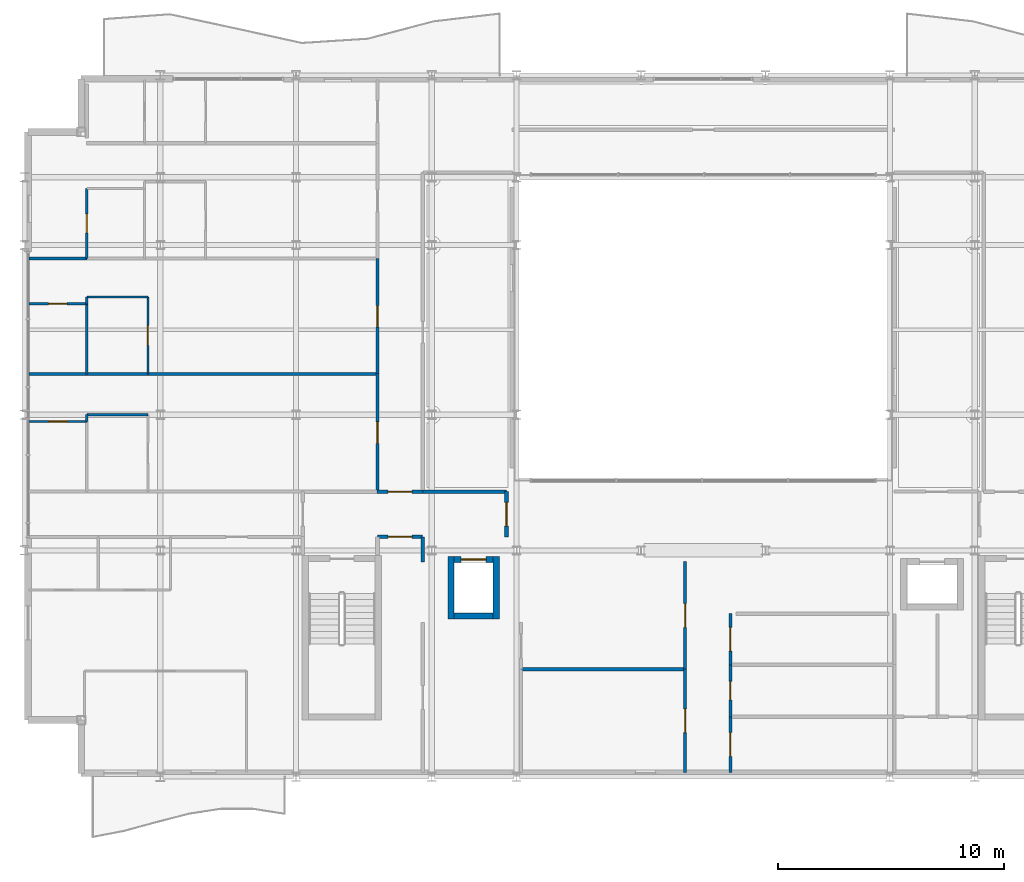
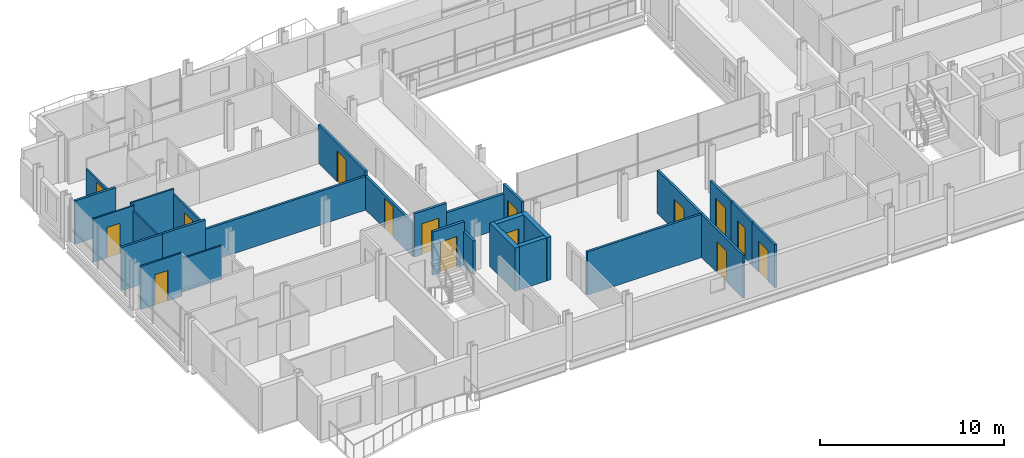
# One storey, part 34 of 41: 30 walls, 15 doors, 15 openings.
"""IFC4 building model written with IfcOpenShell, lengths in metres."""

from ifc_helpers import new_model, si_unit, direction, frame, frame_2d, origin, place, context, subcontext, project, spatial, rectangle, extrude, material, layer, layer_set, type_object, element, fill, save


model = new_model("IFC4")

# Units and contexts
model_context = context("Model", 3, precision=1e-05, world=origin(), true_north=direction((0.0, 1.0)))
body_context = subcontext(model_context, "Body", "Model", "MODEL_VIEW")
ifc_project = project(units=[si_unit("LENGTHUNIT", "METRE"), si_unit("AREAUNIT", "SQUARE_METRE"), si_unit("VOLUMEUNIT", "CUBIC_METRE"), si_unit("PLANEANGLEUNIT", "RADIAN"), si_unit("MASSUNIT", "GRAM", prefix="KILO")], contexts=[model_context])

# Site, building, storey
site_placement = place(None, origin())
site = spatial("IfcSite", under=ifc_project, at=site_placement, CompositionType="ELEMENT")
building_placement = place(site_placement, origin())
building = spatial("IfcBuilding", under=site, at=building_placement, Name="Brevholm Reach", CompositionType="ELEMENT")
storey_placement = place(building_placement, frame((0.0, 0.0, 151.10009765625)))
storey = spatial("IfcBuildingStorey", under=building, at=storey_placement, Name="L45", CompositionType="ELEMENT", Elevation=151.10009765625)

# Walls
ifc_material_1 = material(Name="Concrete C50/60", Category="concrete")
ifc_layer_1 = layer(ifc_material_1, 0.280029296875)
ifc_layer_set_1 = layer_set([ifc_layer_1], Name="Concrete C50/60")
wall_type_1 = type_object("IfcWallType", Name="WAL-COR-280", PredefinedType="SHEAR", material=ifc_layer_set_1)
for number, where, z_axis, x_axis, name in (
    (1, (18.85009765625, 6.9599609375, 0.0), (0.0, 0.0, 1.0), (0.0, 1.0, 0.0), "L45 Lift FFL-1 Shaft Wall W"),
    (2, (20.85009765625, 6.9599609375, 0.0), (0.0, 0.0, 1.0), (0.0, 1.0, 0.0), "L45 Lift FFL-1 Shaft Wall E"),
):
    element("IfcWall", number, at=place(storey_placement, frame(where, z_axis=z_axis, x_axis=x_axis)), inside=storey, type_object=wall_type_1, Name=name, PredefinedType="SHEAR", context=body_context, shape_type="SweptSolid", body=[
        extrude(rectangle(XDim=2.780029296875, YDim=0.280029296875, at=frame_2d((1.39013671875, 0.0))), origin(), (0.0, 0.0, 1.0), 2.8798828125),
    ])
wall_1_placement = place(storey_placement, frame((18.989990234375, 7.10009765625, 0.0), z_axis=(0.0, 0.0, 1.0), x_axis=(1.0, 0.0, 0.0)))
element("IfcWall", 3, at=wall_1_placement, inside=storey, type_object=wall_type_1, Name="L45 Lift FFL-1 Shaft Wall S", PredefinedType="SHEAR", context=body_context, shape_type="SweptSolid", body=[
    extrude(rectangle(XDim=1.719970703125, YDim=0.280029296875, at=frame_2d((0.85986328125, 0.0))), origin(), (0.0, 0.0, 1.0), 2.8798828125),
])

# Wall, opening, door
wall_2_placement = place(storey_placement, frame((18.989990234375, 9.60009765625, 0.0), z_axis=(0.0, 0.0, 1.0), x_axis=(1.0, 0.0, 0.0)))
wall_2 = element("IfcWall", 4, at=wall_2_placement, inside=storey, type_object=wall_type_1, Name="L45 Lift FFL-1 Shaft Wall N", PredefinedType="SHEAR", context=body_context, shape_type="SweptSolid", body=[
    extrude(rectangle(XDim=1.719970703125, YDim=0.280029296875, at=frame_2d((0.85986328125, 0.0))), origin(), (0.0, 0.0, 1.0), 2.8798828125),
])
opening_1_placement = place(wall_2_placement, frame((0.31005859375, 0.0, 0.0)))
opening_1 = element("IfcOpeningElement", 5, at=opening_1_placement, cuts=wall_2, Name="Opening LD-FFL-1", PredefinedType="OPENING", context=body_context, shape_type="SweptSolid", body=[
    extrude(rectangle(XDim=1.10009765625, YDim=2.06005859375, at=frame_2d((0.550048828125, 1.030029296875))), frame((0.0, 0.14990234375, 0.0), z_axis=(0.0, -1.0, 0.0), x_axis=(1.0, 0.0, 0.0)), (0.0, 0.0, 1.0), 0.300048828125),
])
ifc_material_2 = material(Name="Brushed Stainless Steel Fire-Rated Sliding Lift Door", Category="steel")
door_type_1 = type_object("IfcDoorType", Name="DOR-LFT-1100", OperationType="NOTDEFINED", PredefinedType="DOOR", material=ifc_material_2)
door_1_placement = place(opening_1_placement, origin())
door_1 = element("IfcDoor", 6, at=door_1_placement, inside=storey, type_object=door_type_1, Name="L45 Lift FFL-1 Sliding Landing Door", OperationType="SLIDING_TO_LEFT", OverallHeight=2.06005859375, OverallWidth=1.10009765625, PredefinedType="DOOR", context=body_context, shape_type="SweptSolid", body=[
    extrude(rectangle(XDim=1.10009765625, YDim=2.06005859375, at=frame_2d((0.550048828125, 1.030029296875))), frame((0.0, 0.02490234375, 0.0), z_axis=(0.0, -1.0, 0.0), x_axis=(1.0, 0.0, 0.0)), (0.0, 0.0, 1.0), 0.050048828125),
])
fill(opening_1, door_1)

ifc_material_3 = material(Name="Moisture-Resistant Acoustic Gypsum Stud Partition 100 mm", Category="gypsum")
ifc_layer_2 = layer(ifc_material_3, 0.10009765625)
ifc_layer_set_2 = layer_set([ifc_layer_2], Name="Moisture-Resistant Acoustic Gypsum Stud Partition 100 mm")
wall_type_2 = type_object("IfcWallType", Name="WAL-PRT-100", PredefinedType="PARTITIONING", material=ifc_layer_set_2)
wall_3_placement = place(storey_placement, frame((0.199951171875, 15.699951171875, 0.0), z_axis=(0.0, 0.0, 1.0), x_axis=(1.0, 0.0, 0.0)))
wall_3 = element("IfcWall", 7, at=wall_3_placement, inside=storey, type_object=wall_type_2, Name="L45 Internal Partition 070", PredefinedType="PARTITIONING", context=body_context, shape_type="SweptSolid", body=[
    extrude(rectangle(XDim=2.550048828125, YDim=0.10009765625, at=frame_2d((1.27490234375, 0.0))), origin(), (0.0, 0.0, 1.0), 2.8798828125),
])
opening_2_placement = place(wall_3_placement, frame((0.864990234375, 0.0, 0.0)))
opening_2 = element("IfcOpeningElement", 8, at=opening_2_placement, cuts=wall_3, Name="Opening ID-03", PredefinedType="OPENING", context=body_context, shape_type="SweptSolid", body=[
    extrude(rectangle(XDim=0.820068359375, YDim=2.02001953125, at=frame_2d((0.41015625, 1.010009765625))), frame((0.0, 0.06005859375, 0.0), z_axis=(0.0, -1.0, 0.0), x_axis=(1.0, 0.0, 0.0)), (0.0, 0.0, 1.0), 0.1201171875),
])
ifc_material_4 = material(Name="Moisture-Resistant Painted Timber Internal Bathroom Door", Category="wood")
door_type_2 = type_object("IfcDoorType", Name="DOR-BATH-820", OperationType="NOTDEFINED", PredefinedType="DOOR", material=ifc_material_4)
door_2_placement = place(opening_2_placement, origin())
door_2 = element("IfcDoor", 9, at=door_2_placement, inside=storey, type_object=door_type_2, Name="L45 Internal Door 034", OperationType="SINGLE_SWING_RIGHT", OverallHeight=2.02001953125, OverallWidth=0.820068359375, PredefinedType="DOOR", context=body_context, shape_type="SweptSolid", body=[
    extrude(rectangle(XDim=0.820068359375, YDim=2.02001953125, at=frame_2d((0.41015625, 1.010009765625))), frame((0.0, 0.02490234375, 0.0), z_axis=(0.0, -1.0, 0.0), x_axis=(1.0, 0.0, 0.0)), (0.0, 0.0, 1.0), 0.050048828125),
])
fill(opening_2, door_2)

# Walls
wall_4_placement = place(storey_placement, frame((2.75, 16.0, 0.0), z_axis=(0.0, 0.0, 1.0), x_axis=(1.0, 0.0, 0.0)))
element("IfcWall", 10, at=wall_4_placement, inside=storey, type_object=wall_type_2, Name="L45 Internal Partition 072", PredefinedType="PARTITIONING", context=body_context, shape_type="SweptSolid", body=[
    extrude(rectangle(XDim=2.699951171875, YDim=0.10009765625, at=frame_2d((1.35009765625, 0.0))), origin(), (0.0, 0.0, 1.0), 2.24267578125),
])
wall_5_placement = place(storey_placement, frame((2.75, 15.7041015625, 0.0), z_axis=(0.0, 0.0, 1.0), x_axis=(0.0, 1.0, 0.0)))
element("IfcWall", 11, at=wall_5_placement, inside=storey, type_object=wall_type_2, Name="L45 Internal Partition 073", PredefinedType="PARTITIONING", context=body_context, shape_type="SweptSolid", body=[
    extrude(rectangle(XDim=0.2958984375, YDim=0.10009765625, at=frame_2d((0.14794921875, 0.0))), origin(), (0.0, 0.0, 1.0), 2.24267578125),
])
wall_6_placement = place(storey_placement, frame((2.75, 17.803955078125, 0.0), z_axis=(0.0, 0.0, 1.0), x_axis=(0.0, 1.0, 0.0)))
element("IfcWall", 12, at=wall_6_placement, inside=storey, type_object=wall_type_2, Name="L45 Internal Partition 077", PredefinedType="PARTITIONING", context=body_context, shape_type="SweptSolid", body=[
    extrude(rectangle(XDim=3.095947265625, YDim=0.10009765625, at=frame_2d((1.5478515625, 0.0))), origin(), (0.0, 0.0, 1.0), 2.551513671875),
])

# Wall, opening, door
wall_7_placement = place(storey_placement, frame((0.199951171875, 20.89990234375, 0.0), z_axis=(0.0, 0.0, 1.0), x_axis=(1.0, 0.0, 0.0)))
wall_7 = element("IfcWall", 13, at=wall_7_placement, inside=storey, type_object=wall_type_2, Name="L45 Internal Partition 078", PredefinedType="PARTITIONING", context=body_context, shape_type="SweptSolid", body=[
    extrude(rectangle(XDim=2.550048828125, YDim=0.10009765625, at=frame_2d((1.27490234375, 0.0))), origin(), (0.0, 0.0, 1.0), 2.8798828125),
])
opening_3_placement = place(wall_7_placement, frame((0.864990234375, 0.0, 0.0)))
opening_3 = element("IfcOpeningElement", 14, at=opening_3_placement, cuts=wall_7, Name="Opening ID-03", PredefinedType="OPENING", context=body_context, shape_type="SweptSolid", body=[
    extrude(rectangle(XDim=0.820068359375, YDim=2.02001953125, at=frame_2d((0.41015625, 1.010009765625))), frame((0.0, 0.06005859375, 0.0), z_axis=(0.0, -1.0, 0.0), x_axis=(1.0, 0.0, 0.0)), (0.0, 0.0, 1.0), 0.1201171875),
])
door_3_placement = place(opening_3_placement, origin())
door_3 = element("IfcDoor", 15, at=door_3_placement, inside=storey, type_object=door_type_2, Name="L45 Internal Door 036", OperationType="SINGLE_SWING_RIGHT", OverallHeight=2.02001953125, OverallWidth=0.820068359375, PredefinedType="DOOR", context=body_context, shape_type="SweptSolid", body=[
    extrude(rectangle(XDim=0.820068359375, YDim=2.02001953125, at=frame_2d((0.41015625, 1.010009765625))), frame((0.0, 0.02490234375, 0.0), z_axis=(0.0, -1.0, 0.0), x_axis=(1.0, 0.0, 0.0)), (0.0, 0.0, 1.0), 0.050048828125),
])
fill(opening_3, door_3)

wall_8_placement = place(storey_placement, frame((5.449951171875, 17.803955078125, 0.0), z_axis=(0.0, 0.0, 1.0), x_axis=(0.0, 1.0, 0.0)))
wall_8 = element("IfcWall", 16, at=wall_8_placement, inside=storey, type_object=wall_type_2, Name="L45 Internal Partition 079", PredefinedType="PARTITIONING", context=body_context, shape_type="SweptSolid", body=[
    extrude(rectangle(XDim=3.39599609375, YDim=0.10009765625, at=frame_2d((1.697998046875, 0.0))), origin(), (0.0, 0.0, 1.0), 2.551513671875),
])
opening_4_placement = place(wall_8_placement, frame((1.258056640625, 0.0, 0.0)))
opening_4 = element("IfcOpeningElement", 17, at=opening_4_placement, cuts=wall_8, Name="Opening ID-01", PredefinedType="OPENING", context=body_context, shape_type="SweptSolid", body=[
    extrude(rectangle(XDim=0.8798828125, YDim=2.0400390625, at=frame_2d((0.43994140625, 1.02001953125))), frame((0.0, 0.06005859375, 0.0), z_axis=(0.0, -1.0, 0.0), x_axis=(1.0, 0.0, 0.0)), (0.0, 0.0, 1.0), 0.1201171875),
])
ifc_material_5 = material(Name="Lacquered Ash Solid-Core Acoustic Internal Door", Category="timber")
door_type_3 = type_object("IfcDoorType", Name="DOR-INT-880", OperationType="NOTDEFINED", PredefinedType="DOOR", material=ifc_material_5)
door_4_placement = place(opening_4_placement, origin())
door_4 = element("IfcDoor", 18, at=door_4_placement, inside=storey, type_object=door_type_3, Name="L45 Internal Door 037", OperationType="SINGLE_SWING_LEFT", OverallHeight=2.0400390625, OverallWidth=0.8798828125, PredefinedType="DOOR", context=body_context, shape_type="SweptSolid", body=[
    extrude(rectangle(XDim=0.8798828125, YDim=2.0400390625, at=frame_2d((0.43994140625, 1.02001953125))), frame((0.0, 0.02490234375, 0.0), z_axis=(0.0, -1.0, 0.0), x_axis=(1.0, 0.0, 0.0)), (0.0, 0.0, 1.0), 0.050048828125),
])
fill(opening_4, door_4)

# Walls
wall_9_placement = place(storey_placement, frame((2.75, 21.199951171875, 0.0), z_axis=(0.0, 0.0, 1.0), x_axis=(1.0, 0.0, 0.0)))
element("IfcWall", 19, at=wall_9_placement, inside=storey, type_object=wall_type_2, Name="L45 Internal Partition 080", PredefinedType="PARTITIONING", context=body_context, shape_type="SweptSolid", body=[
    extrude(rectangle(XDim=2.699951171875, YDim=0.10009765625, at=frame_2d((1.35009765625, 0.0))), origin(), (0.0, 0.0, 1.0), 2.8798828125),
])
wall_10_placement = place(storey_placement, frame((2.75, 20.904052734375, 0.0), z_axis=(0.0, 0.0, 1.0), x_axis=(0.0, 1.0, 0.0)))
element("IfcWall", 20, at=wall_10_placement, inside=storey, type_object=wall_type_2, Name="L45 Internal Partition 081", PredefinedType="PARTITIONING", context=body_context, shape_type="SweptSolid", body=[
    extrude(rectangle(XDim=0.2958984375, YDim=0.10009765625, at=frame_2d((0.14794921875, 0.0))), origin(), (0.0, 0.0, 1.0), 2.8798828125),
])

# Wall, opening, door
wall_11_placement = place(storey_placement, frame((2.75, 22.904052734375, 0.0), z_axis=(0.0, 0.0, 1.0), x_axis=(0.0, 1.0, 0.0)))
wall_11 = element("IfcWall", 21, at=wall_11_placement, inside=storey, type_object=wall_type_2, Name="L45 Internal Partition 088", PredefinedType="PARTITIONING", context=body_context, shape_type="SweptSolid", body=[
    extrude(rectangle(XDim=3.095947265625, YDim=0.10009765625, at=frame_2d((1.5478515625, 0.0))), origin(), (0.0, 0.0, 1.0), 2.24267578125),
])
opening_5_placement = place(wall_11_placement, frame((1.137939453125, 0.0, 0.0)))
opening_5 = element("IfcOpeningElement", 22, at=opening_5_placement, cuts=wall_11, Name="Opening ID-03", PredefinedType="OPENING", context=body_context, shape_type="SweptSolid", body=[
    extrude(rectangle(XDim=0.820068359375, YDim=2.02001953125, at=frame_2d((0.41015625, 1.010009765625))), frame((0.0, 0.06005859375, 0.0), z_axis=(0.0, -1.0, 0.0), x_axis=(1.0, 0.0, 0.0)), (0.0, 0.0, 1.0), 0.1201171875),
])
door_5_placement = place(opening_5_placement, origin())
door_5 = element("IfcDoor", 23, at=door_5_placement, inside=storey, type_object=door_type_2, Name="L45 Internal Door 038", OperationType="SINGLE_SWING_RIGHT", OverallHeight=2.02001953125, OverallWidth=0.820068359375, PredefinedType="DOOR", context=body_context, shape_type="SweptSolid", body=[
    extrude(rectangle(XDim=0.820068359375, YDim=2.02001953125, at=frame_2d((0.41015625, 1.010009765625))), frame((0.0, 0.02490234375, 0.0), z_axis=(0.0, -1.0, 0.0), x_axis=(1.0, 0.0, 0.0)), (0.0, 0.0, 1.0), 0.050048828125),
])
fill(opening_5, door_5)

ifc_material_6 = material(Name="Twin-Stud Acoustic Fire-Rated Gypsum Partition 140 mm", Category="gypsum")
ifc_layer_3 = layer(ifc_material_6, 0.139892578125)
ifc_layer_set_3 = layer_set([ifc_layer_3], Name="Twin-Stud Acoustic Fire-Rated Gypsum Partition 140 mm")
wall_type_3 = type_object("IfcWallType", Name="WAL-PRT-140", PredefinedType="PARTITIONING", material=ifc_layer_set_3)
wall_12_placement = place(storey_placement, frame((29.199951171875, 0.179931640625, 0.0), z_axis=(0.0, 0.0, 1.0), x_axis=(0.0, 1.0, 0.0)))
wall_12 = element("IfcWall", 24, at=wall_12_placement, inside=storey, type_object=wall_type_3, Name="L45 Internal Partition 001", PredefinedType="PARTITIONING", context=body_context, shape_type="SweptSolid", body=[
    extrude(rectangle(XDim=4.578369140625, YDim=0.139892578125, at=frame_2d((2.2890625, 0.0))), origin(), (0.0, 0.0, 1.0), 2.8798828125),
])
opening_6_placement = place(wall_12_placement, frame((1.76416015625, 0.0, 0.0)))
opening_6 = element("IfcOpeningElement", 25, at=opening_6_placement, cuts=wall_12, Name="Opening FD-01", PredefinedType="OPENING", context=body_context, shape_type="SweptSolid", body=[
    extrude(rectangle(XDim=1.050048828125, YDim=2.06005859375, at=frame_2d((0.52490234375, 1.030029296875))), frame((0.0, 0.079833984375, 0.0), z_axis=(0.0, -1.0, 0.0), x_axis=(1.0, 0.0, 0.0)), (0.0, 0.0, 1.0), 0.159912109375),
])
ifc_material_7 = material(Name="Hardwood-Lipped Steel-Core Fire and Smoke Door", Category="steel")
door_type_4 = type_object("IfcDoorType", Name="DOR-INT-FD60S", OperationType="NOTDEFINED", PredefinedType="DOOR", material=ifc_material_7)
door_6_placement = place(opening_6_placement, origin())
door_6 = element("IfcDoor", 26, at=door_6_placement, inside=storey, type_object=door_type_4, Name="L45 Internal Door 001", OperationType="SINGLE_SWING_LEFT", OverallHeight=2.06005859375, OverallWidth=1.050048828125, PredefinedType="DOOR", context=body_context, shape_type="SweptSolid", body=[
    extrude(rectangle(XDim=1.050048828125, YDim=2.06005859375, at=frame_2d((0.52490234375, 1.030029296875))), frame((0.0, 0.02490234375, 0.0), z_axis=(0.0, -1.0, 0.0), x_axis=(1.0, 0.0, 0.0)), (0.0, 0.0, 1.0), 0.050048828125),
])
fill(opening_6, door_6)

wall_13_placement = place(storey_placement, frame((29.199951171875, 4.73974609375, 0.0), z_axis=(0.0, 0.0, 1.0), x_axis=(0.0, 1.0, 0.0)))
wall_13 = element("IfcWall", 27, at=wall_13_placement, inside=storey, type_object=wall_type_3, Name="L45 Internal Partition 002", PredefinedType="PARTITIONING", context=body_context, shape_type="SweptSolid", body=[
    extrude(rectangle(XDim=4.771484375, YDim=0.139892578125, at=frame_2d((2.3857421875, 0.0))), origin(), (0.0, 0.0, 1.0), 2.8798828125),
])
opening_7_placement = place(wall_13_placement, frame((1.86083984375, 0.0, 0.0)))
opening_7 = element("IfcOpeningElement", 28, at=opening_7_placement, cuts=wall_13, Name="Opening FD-01", PredefinedType="OPENING", context=body_context, shape_type="SweptSolid", body=[
    extrude(rectangle(XDim=1.050048828125, YDim=2.06005859375, at=frame_2d((0.52490234375, 1.030029296875))), frame((0.0, 0.079833984375, 0.0), z_axis=(0.0, -1.0, 0.0), x_axis=(1.0, 0.0, 0.0)), (0.0, 0.0, 1.0), 0.159912109375),
])
door_7_placement = place(opening_7_placement, origin())
door_7 = element("IfcDoor", 29, at=door_7_placement, inside=storey, type_object=door_type_4, Name="L45 Internal Door 002", OperationType="SINGLE_SWING_RIGHT", OverallHeight=2.06005859375, OverallWidth=1.050048828125, PredefinedType="DOOR", context=body_context, shape_type="SweptSolid", body=[
    extrude(rectangle(XDim=1.050048828125, YDim=2.06005859375, at=frame_2d((0.52490234375, 1.030029296875))), frame((0.0, 0.02490234375, 0.0), z_axis=(0.0, -1.0, 0.0), x_axis=(1.0, 0.0, 0.0)), (0.0, 0.0, 1.0), 0.050048828125),
])
fill(opening_7, door_7)

wall_14_placement = place(storey_placement, frame((31.199951171875, 0.179931640625, 0.0), z_axis=(0.0, 0.0, 1.0), x_axis=(0.0, 1.0, 0.0)))
wall_14 = element("IfcWall", 30, at=wall_14_placement, inside=storey, type_object=wall_type_3, Name="L45 Internal Partition 003", PredefinedType="PARTITIONING", context=body_context, shape_type="SweptSolid", body=[
    extrude(rectangle(XDim=2.4814453125, YDim=0.139892578125, at=frame_2d((1.24072265625, 0.0))), origin(), (0.0, 0.0, 1.0), 2.8798828125),
])
opening_8_placement = place(wall_14_placement, frame((0.7158203125, 0.0, 0.0)))
opening_8 = element("IfcOpeningElement", 31, at=opening_8_placement, cuts=wall_14, Name="Opening FD-01", PredefinedType="OPENING", context=body_context, shape_type="SweptSolid", body=[
    extrude(rectangle(XDim=1.050048828125, YDim=2.06005859375, at=frame_2d((0.52490234375, 1.030029296875))), frame((0.0, 0.079833984375, 0.0), z_axis=(0.0, -1.0, 0.0), x_axis=(1.0, 0.0, 0.0)), (0.0, 0.0, 1.0), 0.159912109375),
])
door_8_placement = place(opening_8_placement, origin())
door_8 = element("IfcDoor", 32, at=door_8_placement, inside=storey, type_object=door_type_4, Name="L45 Internal Door 003", OperationType="SINGLE_SWING_LEFT", OverallHeight=2.06005859375, OverallWidth=1.050048828125, PredefinedType="DOOR", context=body_context, shape_type="SweptSolid", body=[
    extrude(rectangle(XDim=1.050048828125, YDim=2.06005859375, at=frame_2d((0.52490234375, 1.030029296875))), frame((0.0, 0.02490234375, 0.0), z_axis=(0.0, -1.0, 0.0), x_axis=(1.0, 0.0, 0.0)), (0.0, 0.0, 1.0), 0.050048828125),
])
fill(opening_8, door_8)

wall_15_placement = place(storey_placement, frame((31.199951171875, 2.642578125, 0.0), z_axis=(0.0, 0.0, 1.0), x_axis=(0.0, 1.0, 0.0)))
wall_15 = element("IfcWall", 33, at=wall_15_placement, inside=storey, type_object=wall_type_3, Name="L45 Internal Partition 004", PredefinedType="PARTITIONING", context=body_context, shape_type="SweptSolid", body=[
    extrude(rectangle(XDim=2.318603515625, YDim=0.139892578125, at=frame_2d((1.1591796875, 0.0))), origin(), (0.0, 0.0, 1.0), 2.8798828125),
])
opening_9_placement = place(wall_15_placement, frame((0.749267578125, 0.0, 0.0)))
opening_9 = element("IfcOpeningElement", 34, at=opening_9_placement, cuts=wall_15, Name="Opening ID-02", PredefinedType="OPENING", context=body_context, shape_type="SweptSolid", body=[
    extrude(rectangle(XDim=0.820068359375, YDim=2.02001953125, at=frame_2d((0.41015625, 1.010009765625))), frame((0.0, 0.079833984375, 0.0), z_axis=(0.0, -1.0, 0.0), x_axis=(1.0, 0.0, 0.0)), (0.0, 0.0, 1.0), 0.159912109375),
])
ifc_material_8 = material(Name="Moisture-Resistant Painted Timber Fire-Rated Riser and Service Door", Category="wood")
door_type_5 = type_object("IfcDoorType", Name="DOR-SRV-820", OperationType="NOTDEFINED", PredefinedType="DOOR", material=ifc_material_8)
door_9_placement = place(opening_9_placement, origin())
door_9 = element("IfcDoor", 35, at=door_9_placement, inside=storey, type_object=door_type_5, Name="L45 Internal Door 004", OperationType="SINGLE_SWING_RIGHT", OverallHeight=2.02001953125, OverallWidth=0.820068359375, PredefinedType="DOOR", context=body_context, shape_type="SweptSolid", body=[
    extrude(rectangle(XDim=0.820068359375, YDim=2.02001953125, at=frame_2d((0.41015625, 1.010009765625))), frame((0.0, 0.02490234375, 0.0), z_axis=(0.0, -1.0, 0.0), x_axis=(1.0, 0.0, 0.0)), (0.0, 0.0, 1.0), 0.050048828125),
])
fill(opening_9, door_9)

wall_16_placement = place(storey_placement, frame((31.199951171875, 4.942626953125, 0.0), z_axis=(0.0, 0.0, 1.0), x_axis=(0.0, 1.0, 0.0)))
wall_16 = element("IfcWall", 36, at=wall_16_placement, inside=storey, type_object=wall_type_3, Name="L45 Internal Partition 005", PredefinedType="PARTITIONING", context=body_context, shape_type="SweptSolid", body=[
    extrude(rectangle(XDim=2.2685546875, YDim=0.139892578125, at=frame_2d((1.13427734375, 0.0))), origin(), (0.0, 0.0, 1.0), 2.8798828125),
])
opening_10_placement = place(wall_16_placement, frame((0.609375, 0.0, 0.0)))
opening_10 = element("IfcOpeningElement", 37, at=opening_10_placement, cuts=wall_16, Name="Opening FD-01", PredefinedType="OPENING", context=body_context, shape_type="SweptSolid", body=[
    extrude(rectangle(XDim=1.050048828125, YDim=2.06005859375, at=frame_2d((0.52490234375, 1.030029296875))), frame((0.0, 0.079833984375, 0.0), z_axis=(0.0, -1.0, 0.0), x_axis=(1.0, 0.0, 0.0)), (0.0, 0.0, 1.0), 0.159912109375),
])
door_10_placement = place(opening_10_placement, origin())
door_10 = element("IfcDoor", 38, at=door_10_placement, inside=storey, type_object=door_type_4, Name="L45 Internal Door 005", OperationType="SINGLE_SWING_LEFT", OverallHeight=2.06005859375, OverallWidth=1.050048828125, PredefinedType="DOOR", context=body_context, shape_type="SweptSolid", body=[
    extrude(rectangle(XDim=1.050048828125, YDim=2.06005859375, at=frame_2d((0.52490234375, 1.030029296875))), frame((0.0, 0.02490234375, 0.0), z_axis=(0.0, -1.0, 0.0), x_axis=(1.0, 0.0, 0.0)), (0.0, 0.0, 1.0), 0.050048828125),
])
fill(opening_10, door_10)

# Wall
wall_17_placement = place(storey_placement, frame((21.949951171875, 4.7470703125, 0.0), z_axis=(0.0, 0.0, 1.0), x_axis=(1.0, 0.0, 0.0)))
element("IfcWall", 39, at=wall_17_placement, inside=storey, type_object=wall_type_3, Name="L45 Internal Partition 006", PredefinedType="PARTITIONING", context=body_context, shape_type="SweptSolid", body=[
    extrude(rectangle(XDim=7.24609375, YDim=0.139892578125, at=frame_2d((3.623046875, 0.0))), origin(), (0.0, 0.0, 1.0), 2.8798828125),
])

# Wall, opening, door
wall_18_placement = place(storey_placement, frame((15.60009765625, 12.60400390625, 0.0), z_axis=(0.0, 0.0, 1.0), x_axis=(0.0, 1.0, 0.0)))
wall_18 = element("IfcWall", 40, at=wall_18_placement, inside=storey, type_object=wall_type_3, Name="L45 Internal Partition 038", PredefinedType="PARTITIONING", context=body_context, shape_type="SweptSolid", body=[
    extrude(rectangle(XDim=5.207275390625, YDim=0.139892578125, at=frame_2d((2.603515625, 0.0))), origin(), (0.0, 0.0, 1.0), 2.24267578125),
])
opening_11_placement = place(wall_18_placement, frame((2.128662109375, 0.0, 0.0)))
opening_11 = element("IfcOpeningElement", 41, at=opening_11_placement, cuts=wall_18, Name="Opening ID-30", PredefinedType="OPENING", context=body_context, shape_type="SweptSolid", body=[
    extrude(rectangle(XDim=0.949951171875, YDim=2.050048828125, at=frame_2d((0.47509765625, 1.02490234375))), frame((0.0, 0.079833984375, 0.0), z_axis=(0.0, -1.0, 0.0), x_axis=(1.0, 0.0, 0.0)), (0.0, 0.0, 1.0), 0.159912109375),
])
ifc_material_9 = material(Name="European Oak Veneered Solid-Core Fire Entrance Door", Category="timber")
door_type_6 = type_object("IfcDoorType", Name="DOR-FLT-FD30S", OperationType="NOTDEFINED", PredefinedType="DOOR", material=ifc_material_9)
door_11_placement = place(opening_11_placement, origin())
door_11 = element("IfcDoor", 42, at=door_11_placement, inside=storey, type_object=door_type_6, Name="L45 Internal Door 021", OperationType="SINGLE_SWING_LEFT", OverallHeight=2.050048828125, OverallWidth=0.949951171875, PredefinedType="DOOR", context=body_context, shape_type="SweptSolid", body=[
    extrude(rectangle(XDim=0.949951171875, YDim=2.050048828125, at=frame_2d((0.47509765625, 1.02490234375))), frame((0.0, 0.02490234375, 0.0), z_axis=(0.0, -1.0, 0.0), x_axis=(1.0, 0.0, 0.0)), (0.0, 0.0, 1.0), 0.050048828125),
])
fill(opening_11, door_11)

wall_19_placement = place(storey_placement, frame((15.60009765625, 17.792724609375, 0.0), z_axis=(0.0, 0.0, 1.0), x_axis=(0.0, 1.0, 0.0)))
wall_19 = element("IfcWall", 43, at=wall_19_placement, inside=storey, type_object=wall_type_3, Name="L45 Internal Partition 039", PredefinedType="PARTITIONING", context=body_context, shape_type="SweptSolid", body=[
    extrude(rectangle(XDim=5.11865234375, YDim=0.139892578125, at=frame_2d((2.559326171875, 0.0))), origin(), (0.0, 0.0, 1.0), 2.551513671875),
])
opening_12_placement = place(wall_19_placement, frame((2.084228515625, 0.0, 0.0)))
opening_12 = element("IfcOpeningElement", 44, at=opening_12_placement, cuts=wall_19, Name="Opening ID-30", PredefinedType="OPENING", context=body_context, shape_type="SweptSolid", body=[
    extrude(rectangle(XDim=0.949951171875, YDim=2.050048828125, at=frame_2d((0.47509765625, 1.02490234375))), frame((0.0, 0.079833984375, 0.0), z_axis=(0.0, -1.0, 0.0), x_axis=(1.0, 0.0, 0.0)), (0.0, 0.0, 1.0), 0.159912109375),
])
door_12_placement = place(opening_12_placement, origin())
door_12 = element("IfcDoor", 45, at=door_12_placement, inside=storey, type_object=door_type_6, Name="L45 Internal Door 022", OperationType="SINGLE_SWING_RIGHT", OverallHeight=2.050048828125, OverallWidth=0.949951171875, PredefinedType="DOOR", context=body_context, shape_type="SweptSolid", body=[
    extrude(rectangle(XDim=0.949951171875, YDim=2.050048828125, at=frame_2d((0.47509765625, 1.02490234375))), frame((0.0, 0.02490234375, 0.0), z_axis=(0.0, -1.0, 0.0), x_axis=(1.0, 0.0, 0.0)), (0.0, 0.0, 1.0), 0.050048828125),
])
fill(opening_12, door_12)

# Walls
wall_20_placement = place(storey_placement, frame((0.199951171875, 17.800048828125, 0.0), z_axis=(0.0, 0.0, 1.0), x_axis=(1.0, 0.0, 0.0)))
element("IfcWall", 46, at=wall_20_placement, inside=storey, type_object=wall_type_3, Name="L45 Internal Partition 074", PredefinedType="PARTITIONING", context=body_context, shape_type="SweptSolid", body=[
    extrude(rectangle(XDim=2.561279296875, YDim=0.139892578125, at=frame_2d((1.28076171875, 0.0))), origin(), (0.0, 0.0, 1.0), 2.8798828125),
])
wall_21_placement = place(storey_placement, frame((2.74267578125, 17.800048828125, 0.0), z_axis=(0.0, 0.0, 1.0), x_axis=(1.0, 0.0, 0.0)))
element("IfcWall", 47, at=wall_21_placement, inside=storey, type_object=wall_type_3, Name="L45 Internal Partition 075", PredefinedType="PARTITIONING", context=body_context, shape_type="SweptSolid", body=[
    extrude(rectangle(XDim=2.718505859375, YDim=0.139892578125, at=frame_2d((1.359375, 0.0))), origin(), (0.0, 0.0, 1.0), 2.8798828125),
])
wall_22_placement = place(storey_placement, frame((5.442626953125, 17.800048828125, 0.0), z_axis=(0.0, 0.0, 1.0), x_axis=(1.0, 0.0, 0.0)))
element("IfcWall", 48, at=wall_22_placement, inside=storey, type_object=wall_type_3, Name="L45 Internal Partition 076", PredefinedType="PARTITIONING", context=body_context, shape_type="SweptSolid", body=[
    extrude(rectangle(XDim=10.1533203125, YDim=0.139892578125, at=frame_2d((5.07666015625, 0.0))), origin(), (0.0, 0.0, 1.0), 2.24267578125),
])
wall_23_placement = place(storey_placement, frame((0.199951171875, 22.89990234375, 0.0), z_axis=(0.0, 0.0, 1.0), x_axis=(1.0, 0.0, 0.0)))
element("IfcWall", 49, at=wall_23_placement, inside=storey, type_object=wall_type_3, Name="L45 Internal Partition 085", PredefinedType="PARTITIONING", context=body_context, shape_type="SweptSolid", body=[
    extrude(rectangle(XDim=2.557373046875, YDim=0.139892578125, at=frame_2d((1.27880859375, 0.0))), origin(), (0.0, 0.0, 1.0), 2.8798828125),
])
ifc_material_10 = material(Name="Twin-Frame Fire-Rated Gypsum Board and Mineral Wool 160 mm", Category="gypsum")
ifc_layer_4 = layer(ifc_material_10, 0.159912109375)
ifc_layer_set_4 = layer_set([ifc_layer_4], Name="Twin-Frame Fire-Rated Gypsum Board and Mineral Wool 160 mm")
wall_type_4 = type_object("IfcWallType", Name="WAL-PRT-160", PredefinedType="PARTITIONING", material=ifc_layer_set_4)
wall_24_placement = place(storey_placement, frame((17.60009765625, 9.48876953125, 0.0), z_axis=(0.0, 0.0, 1.0), x_axis=(0.0, 1.0, 0.0)))
element("IfcWall", 50, at=wall_24_placement, inside=storey, type_object=wall_type_4, Name="L45 Internal Partition 020", PredefinedType="PARTITIONING", context=body_context, shape_type="SweptSolid", body=[
    extrude(rectangle(XDim=1.111328125, YDim=0.159912109375, at=frame_2d((0.5556640625, 0.0))), origin(), (0.0, 0.0, 1.0), 2.24267578125),
])

# Wall, opening, door
wall_25_placement = place(storey_placement, frame((15.60009765625, 10.60009765625, 0.0), z_axis=(0.0, 0.0, 1.0), x_axis=(1.0, 0.0, 0.0)))
wall_25 = element("IfcWall", 51, at=wall_25_placement, inside=storey, type_object=wall_type_4, Name="L45 Internal Partition 021", PredefinedType="PARTITIONING", context=body_context, shape_type="SweptSolid", body=[
    extrude(rectangle(XDim=2.0, YDim=0.159912109375, at=frame_2d((1.0, 0.0))), origin(), (0.0, 0.0, 1.0), 2.8798828125),
])
opening_13_placement = place(wall_25_placement, frame((0.47509765625, 0.0, 0.0)))
opening_13 = element("IfcOpeningElement", 52, at=opening_13_placement, cuts=wall_25, Name="Opening FD-01", PredefinedType="OPENING", context=body_context, shape_type="SweptSolid", body=[
    extrude(rectangle(XDim=1.050048828125, YDim=2.06005859375, at=frame_2d((0.52490234375, 1.030029296875))), frame((0.0, 0.08984375, 0.0), z_axis=(0.0, -1.0, 0.0), x_axis=(1.0, 0.0, 0.0)), (0.0, 0.0, 1.0), 0.179931640625),
])
door_13_placement = place(opening_13_placement, origin())
door_13 = element("IfcDoor", 53, at=door_13_placement, inside=storey, type_object=door_type_4, Name="L45 Internal Door 012", OperationType="SINGLE_SWING_RIGHT", OverallHeight=2.06005859375, OverallWidth=1.050048828125, PredefinedType="DOOR", context=body_context, shape_type="SweptSolid", body=[
    extrude(rectangle(XDim=1.050048828125, YDim=2.06005859375, at=frame_2d((0.52490234375, 1.030029296875))), frame((0.0, 0.02490234375, 0.0), z_axis=(0.0, -1.0, 0.0), x_axis=(1.0, 0.0, 0.0)), (0.0, 0.0, 1.0), 0.050048828125),
])
fill(opening_13, door_13)

wall_26_placement = place(storey_placement, frame((21.300048828125, 10.588623046875, 0.0), z_axis=(0.0, 0.0, 1.0), x_axis=(0.0, 1.0, 0.0)))
wall_26 = element("IfcWall", 54, at=wall_26_placement, inside=storey, type_object=wall_type_4, Name="L45 Internal Partition 025", PredefinedType="PARTITIONING", context=body_context, shape_type="SweptSolid", body=[
    extrude(rectangle(XDim=2.011474609375, YDim=0.159912109375, at=frame_2d((1.005859375, 0.0))), origin(), (0.0, 0.0, 1.0), 2.8798828125),
])
opening_14_placement = place(wall_26_placement, frame((0.480712890625, 0.0, 0.0)))
opening_14 = element("IfcOpeningElement", 55, at=opening_14_placement, cuts=wall_26, Name="Opening FD-01", PredefinedType="OPENING", context=body_context, shape_type="SweptSolid", body=[
    extrude(rectangle(XDim=1.050048828125, YDim=2.06005859375, at=frame_2d((0.52490234375, 1.030029296875))), frame((0.0, 0.08984375, 0.0), z_axis=(0.0, -1.0, 0.0), x_axis=(1.0, 0.0, 0.0)), (0.0, 0.0, 1.0), 0.179931640625),
])
door_14_placement = place(opening_14_placement, origin())
door_14 = element("IfcDoor", 56, at=door_14_placement, inside=storey, type_object=door_type_4, Name="L45 Internal Door 013", OperationType="SINGLE_SWING_LEFT", OverallHeight=2.06005859375, OverallWidth=1.050048828125, PredefinedType="DOOR", context=body_context, shape_type="SweptSolid", body=[
    extrude(rectangle(XDim=1.050048828125, YDim=2.06005859375, at=frame_2d((0.52490234375, 1.030029296875))), frame((0.0, 0.02490234375, 0.0), z_axis=(0.0, -1.0, 0.0), x_axis=(1.0, 0.0, 0.0)), (0.0, 0.0, 1.0), 0.050048828125),
])
fill(opening_14, door_14)

wall_27_placement = place(storey_placement, frame((15.588623046875, 12.60009765625, 0.0), z_axis=(0.0, 0.0, 1.0), x_axis=(1.0, 0.0, 0.0)))
wall_27 = element("IfcWall", 57, at=wall_27_placement, inside=storey, type_object=wall_type_4, Name="L45 Internal Partition 026", PredefinedType="PARTITIONING", context=body_context, shape_type="SweptSolid", body=[
    extrude(rectangle(XDim=2.022705078125, YDim=0.159912109375, at=frame_2d((1.01123046875, 0.0))), origin(), (0.0, 0.0, 1.0), 2.8798828125),
])
opening_15_placement = place(wall_27_placement, frame((0.486328125, 0.0, 0.0)))
opening_15 = element("IfcOpeningElement", 58, at=opening_15_placement, cuts=wall_27, Name="Opening FD-01", PredefinedType="OPENING", context=body_context, shape_type="SweptSolid", body=[
    extrude(rectangle(XDim=1.050048828125, YDim=2.06005859375, at=frame_2d((0.52490234375, 1.030029296875))), frame((0.0, 0.08984375, 0.0), z_axis=(0.0, -1.0, 0.0), x_axis=(1.0, 0.0, 0.0)), (0.0, 0.0, 1.0), 0.179931640625),
])
door_15_placement = place(opening_15_placement, origin())
door_15 = element("IfcDoor", 59, at=door_15_placement, inside=storey, type_object=door_type_4, Name="L45 Internal Door 014", OperationType="SINGLE_SWING_RIGHT", OverallHeight=2.06005859375, OverallWidth=1.050048828125, PredefinedType="DOOR", context=body_context, shape_type="SweptSolid", body=[
    extrude(rectangle(XDim=1.050048828125, YDim=2.06005859375, at=frame_2d((0.52490234375, 1.030029296875))), frame((0.0, 0.02490234375, 0.0), z_axis=(0.0, -1.0, 0.0), x_axis=(1.0, 0.0, 0.0)), (0.0, 0.0, 1.0), 0.050048828125),
])
fill(opening_15, door_15)

# Wall
wall_28_placement = place(storey_placement, frame((17.5927734375, 12.60009765625, 0.0), z_axis=(0.0, 0.0, 1.0), x_axis=(1.0, 0.0, 0.0)))
element("IfcWall", 60, at=wall_28_placement, inside=storey, type_object=wall_type_4, Name="L45 Internal Partition 030", PredefinedType="PARTITIONING", context=body_context, shape_type="SweptSolid", body=[
    extrude(rectangle(XDim=3.707275390625, YDim=0.159912109375, at=frame_2d((1.853515625, 0.0))), origin(), (0.0, 0.0, 1.0), 2.24267578125),
])

save(model, "model.ifc")
